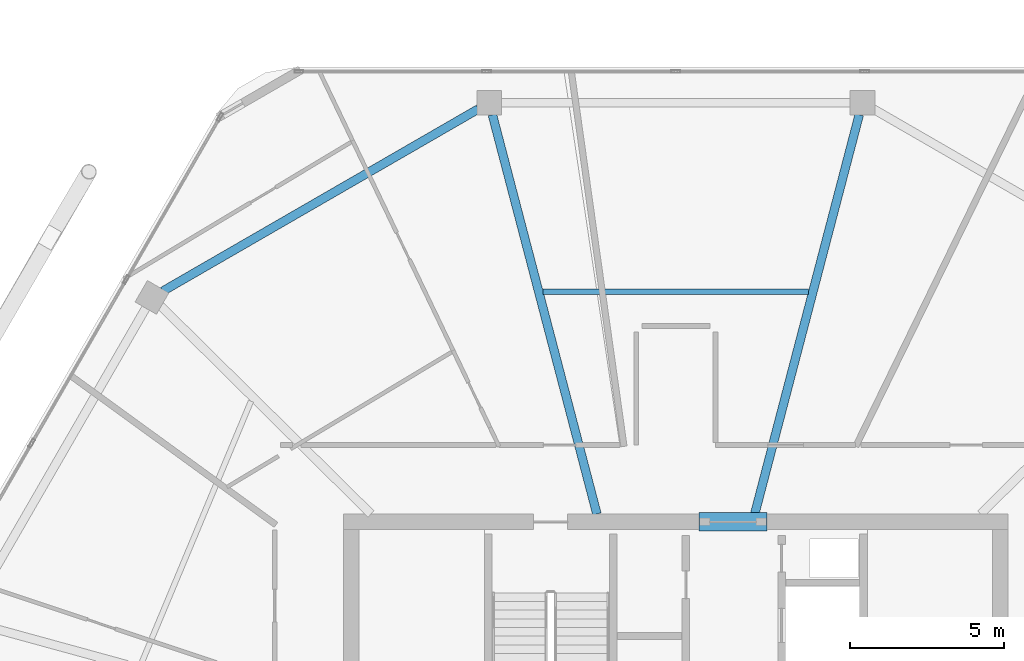
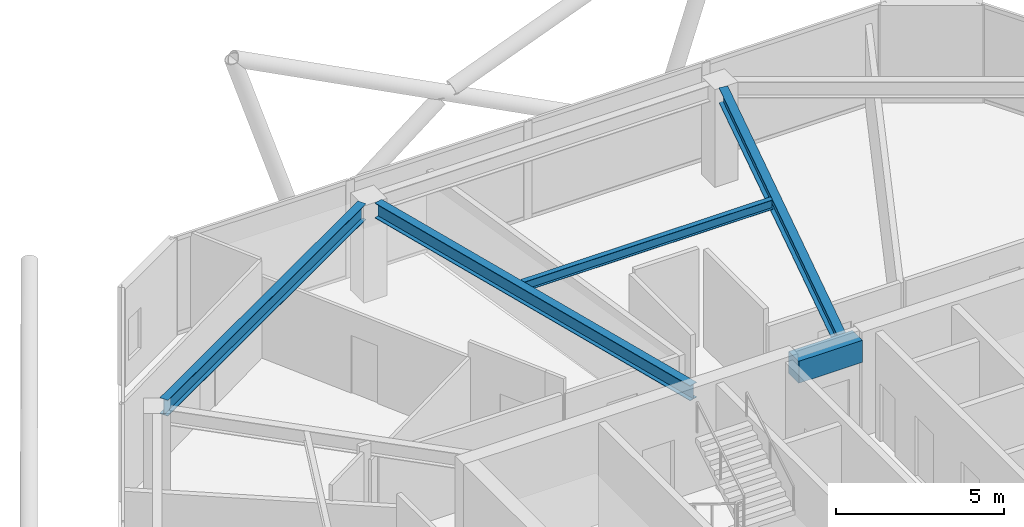
# One storey, part 11 of 24: 5 beams.
"""IFC4 building model written with IfcOpenShell, lengths in metres."""

from ifc_helpers import new_model, si_unit, direction, frame, origin, origin_2d, place, context, subcontext, project, spatial, rectangle, i_section, extrude, material, material_profile, profile_set, type_object, element, save


model = new_model("IFC4")

# Units and contexts
model_context = context("Model", 3, precision=1e-05, world=origin(), true_north=direction((0.0, 1.0)))
body_context = subcontext(model_context, "Body", "Model", "MODEL_VIEW")
ifc_project = project(units=[si_unit("LENGTHUNIT", "METRE"), si_unit("AREAUNIT", "SQUARE_METRE"), si_unit("VOLUMEUNIT", "CUBIC_METRE"), si_unit("PLANEANGLEUNIT", "RADIAN"), si_unit("MASSUNIT", "GRAM", prefix="KILO")], contexts=[model_context])

# Site, building, storey
site_placement = place(None, origin())
site = spatial("IfcSite", under=ifc_project, at=site_placement, CompositionType="ELEMENT")
building_placement = place(site_placement, origin())
building = spatial("IfcBuilding", under=site, at=building_placement, Name="Zuhravey Tower", CompositionType="ELEMENT")
storey_placement = place(building_placement, frame((0.0, 0.0, 308.199951171875)))
storey = spatial("IfcBuildingStorey", under=building, at=storey_placement, Name="L78", CompositionType="ELEMENT", Elevation=308.199951171875)

# Beams
ifc_material_1 = material(Name="Concrete C50/60", Category="concrete")
ifc_material_profile_1 = material_profile(ifc_material_1, rectangle(XDim=0.60009765625, YDim=0.800048828125, at=origin_2d()), Name="RC-600x800")
ifc_profile_set_1 = profile_set([ifc_material_profile_1], Name="Concrete C50/60")
beam_type_1 = type_object("IfcBeamType", Name="Core Coupling Beam RC600x800", PredefinedType="LINTEL", material=ifc_profile_set_1)
beam_1_placement = place(storey_placement, frame((36.751953125, 41.5, 3.150146484375), z_axis=(1.0, 0.0, 0.0), x_axis=(0.0, 1.0, 0.0)))
element("IfcBeam", 1, at=beam_1_placement, inside=storey, type_object=beam_type_1, Name="L78 CB2 BM-L78-CB-N", PredefinedType="LINTEL", context=body_context, shape_type="SweptSolid", body=[
    extrude(rectangle(XDim=0.60009765625, YDim=0.800048828125, at=origin_2d()), origin(), (0.0, 0.0, 1.0), 2.196044921875),
])
ifc_material_2 = material(Name="Steel SM355", Category="steel")
ifc_material_profile_2 = material_profile(ifc_material_2, i_section(OverallWidth=0.280029296875, OverallDepth=0.580078125, WebThickness=0.011962890625, FlangeThickness=0.01904296875, at=origin_2d()), Name="H-580x280x12x19")
ifc_profile_set_2 = profile_set([ifc_material_profile_2], Name="Steel SM355")
beam_type_2 = type_object("IfcBeamType", Name="Perimeter Ring Beam H580x280", PredefinedType="BEAM", material=ifc_profile_set_2)
beam_2_placement = place(storey_placement, frame((29.6123046875, 54.862548828125, 3.260009765625), z_axis=(-0.866023977509, -0.500002470373, 0.0), x_axis=(0.500002470373, -0.866023977509, 0.0)))
element("IfcBeam", 2, at=beam_2_placement, inside=storey, type_object=beam_type_2, Name="L78 PB4 BM-L78-PB-04", PredefinedType="BEAM", context=body_context, shape_type="SweptSolid", body=[
    extrude(i_section(OverallWidth=0.280029296875, OverallDepth=0.580078125, WebThickness=0.011962890625, FlangeThickness=0.01904296875, at=origin_2d()), origin(), (0.0, 0.0, 1.0), 11.798828125),
])
ifc_material_profile_3 = material_profile(ifc_material_2, i_section(OverallWidth=0.280029296875, OverallDepth=0.550048828125, WebThickness=0.010986328125, FlangeThickness=0.01806640625, at=origin_2d()), Name="H-550x280x11x18")
ifc_profile_set_3 = profile_set([ifc_material_profile_3], Name="Steel SM355")
beam_type_3 = type_object("IfcBeamType", Name="Radial Primary Girder H550x280", PredefinedType="BEAM", material=ifc_profile_set_3)
for number, where, z_axis, x_axis, name in (
    (3, (38.553466796875, 41.7529296875, 3.275146484375), (0.253281197106, 0.967392699576, 0.0), (-0.967392699576, 0.253281197106, 0.0), "L78 RG4 BM-L78-RAD-03"),
    (4, (33.446533203125, 41.7529296875, 3.275146484375), (-0.253281197106, 0.967392699576, 0.0), (-0.967392699576, -0.253281197106, 0.0), "L78 RG4 BM-L78-RAD-04"),
):
    element("IfcBeam", number, at=place(storey_placement, frame(where, z_axis=z_axis, x_axis=x_axis)), inside=storey, type_object=beam_type_3, Name=name, PredefinedType="BEAM", context=body_context, shape_type="SweptSolid", body=[
        extrude(i_section(OverallWidth=0.280029296875, OverallDepth=0.550048828125, WebThickness=0.010986328125, FlangeThickness=0.01806640625, at=origin_2d()), origin(), (0.0, 0.0, 1.0), 13.35693359375),
    ])
ifc_material_profile_4 = material_profile(ifc_material_2, i_section(OverallWidth=0.175048828125, OverallDepth=0.35009765625, WebThickness=0.007080078125, FlangeThickness=0.010986328125, at=origin_2d()), Name="H-350x175x7x11")
ifc_profile_set_4 = profile_set([ifc_material_profile_4], Name="Steel SM355")
beam_type_4 = type_object("IfcBeamType", Name="Secondary Floor Joist H350x175", PredefinedType="JOIST", material=ifc_profile_set_4)
beam_3_placement = place(storey_placement, frame((40.29150390625, 48.94091796875, 3.375), z_axis=(-1.0, 0.0, 0.0), x_axis=(0.0, -1.0, 0.0)))
element("IfcBeam", 5, at=beam_3_placement, inside=storey, type_object=beam_type_4, Name="L78 SJ3 BM-L78-SJ-03-1", PredefinedType="JOIST", context=body_context, shape_type="SweptSolid", body=[
    extrude(i_section(OverallWidth=0.175048828125, OverallDepth=0.35009765625, WebThickness=0.007080078125, FlangeThickness=0.010986328125, at=origin_2d()), origin(), (0.0, 0.0, 1.0), 8.5830078125),
])

save(model, "model.ifc")
